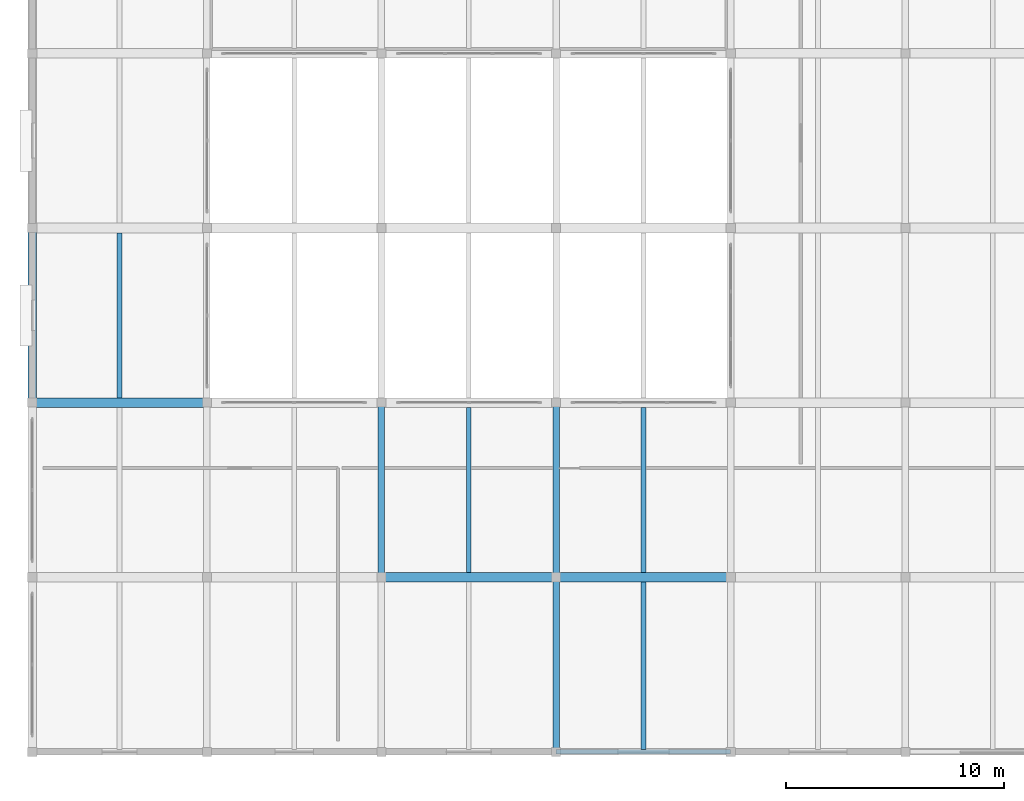
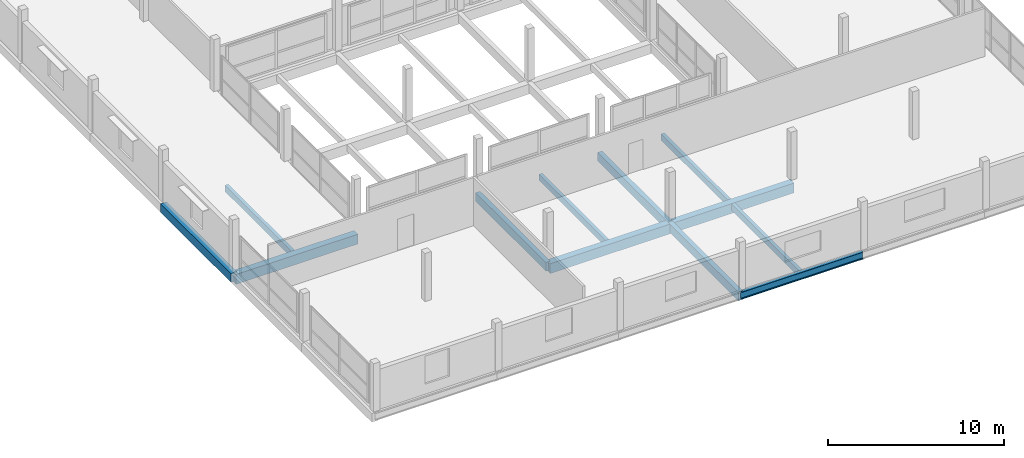
# One storey, part 6 of 51: 12 beams.
"""IFC4 building model written with IfcOpenShell, lengths in metres."""

from ifc_helpers import new_model, si_unit, direction, frame, origin, origin_2d, place, context, subcontext, project, spatial, rectangle, i_section, extrude, material, material_profile, profile_set, type_object, element, save


model = new_model("IFC4")

# Units and contexts
model_context = context("Model", 3, precision=1e-05, world=origin(), true_north=direction((0.0, 1.0)))
body_context = subcontext(model_context, "Body", "Model", "MODEL_VIEW")
ifc_project = project(units=[si_unit("LENGTHUNIT", "METRE"), si_unit("AREAUNIT", "SQUARE_METRE"), si_unit("VOLUMEUNIT", "CUBIC_METRE"), si_unit("PLANEANGLEUNIT", "RADIAN"), si_unit("MASSUNIT", "GRAM", prefix="KILO")], contexts=[model_context])

# Site, building, storey
site_placement = place(None, origin())
site = spatial("IfcSite", under=ifc_project, at=site_placement, CompositionType="ELEMENT")
building_placement = place(site_placement, origin())
building = spatial("IfcBuilding", under=site, at=building_placement, Name="Vharandega Faculty of Natural Sciences", CompositionType="ELEMENT")
storey_placement = place(building_placement, frame((0.0, 0.0, 14.39990234375)))
storey = spatial("IfcBuildingStorey", under=building, at=storey_placement, Name="L03", CompositionType="ELEMENT", Elevation=14.39990234375)

# Beams
ifc_material_1 = material(Name="Glulam GL28h", Category="wood")
ifc_material_profile_1 = material_profile(ifc_material_1, rectangle(XDim=0.300048828125, YDim=0.60009765625, at=origin_2d()), Name="GL28h 300x600")
ifc_profile_set_1 = profile_set([ifc_material_profile_1], Name="Glulam GL28h")
beam_type_1 = type_object("IfcBeamType", Name="Glulam Floor Beam 300x600", PredefinedType="BEAM", material=ifc_profile_set_1)
for number, where, z_axis, x_axis, name in (
    (1, (16.0, 8.0, -0.539794921875), (0.0, 1.0, 0.0), (-1.0, 0.0, 0.0), "Beam L03 3/B-C"),
    (2, (24.0, 0.0, -0.539794921875), (0.0, 1.0, 0.0), (-1.0, 0.0, 0.0), "Beam L03 4/A-B"),
    (3, (24.0, 8.0, -0.539794921875), (0.0, 1.0, 0.0), (-1.0, 0.0, 0.0), "Beam L03 4/B-C"),
):
    element("IfcBeam", number, at=place(storey_placement, frame(where, z_axis=z_axis, x_axis=x_axis)), inside=storey, type_object=beam_type_1, Name=name, PredefinedType="BEAM", context=body_context, shape_type="SweptSolid", body=[
        extrude(rectangle(XDim=0.300048828125, YDim=0.60009765625, at=origin_2d()), origin(), (0.0, 0.0, 1.0), 8.0),
    ])
ifc_material_2 = material(Name="Glulam GL32h", Category="wood")
ifc_material_profile_2 = material_profile(ifc_material_2, rectangle(XDim=0.43994140625, YDim=0.679931640625, at=origin_2d()), Name="GL32h 440x680")
ifc_profile_set_2 = profile_set([ifc_material_profile_2], Name="Glulam GL32h")
beam_type_2 = type_object("IfcBeamType", Name="Glulam Girder 440x680", PredefinedType="BEAM", material=ifc_profile_set_2)
for number, where, z_axis, x_axis, name in (
    (4, (16.0, 8.0, -0.579833984375), (1.0, 0.0, 0.0), (0.0, 1.0, 0.0), "Beam L03 B/3-4"),
    (5, (24.0, 8.0, -0.579833984375), (1.0, 0.0, 0.0), (0.0, 1.0, 0.0), "Beam L03 B/4-5"),
    (6, (0.0, 16.0, -0.579833984375), (1.0, 0.0, 0.0), (0.0, 1.0, 0.0), "Beam L03 C/1-2"),
):
    element("IfcBeam", number, at=place(storey_placement, frame(where, z_axis=z_axis, x_axis=x_axis)), inside=storey, type_object=beam_type_2, Name=name, PredefinedType="BEAM", context=body_context, shape_type="SweptSolid", body=[
        extrude(rectangle(XDim=0.43994140625, YDim=0.679931640625, at=origin_2d()), origin(), (0.0, 0.0, 1.0), 8.0),
    ])
ifc_material_3 = material(Name="Glulam GL28h", Category="wood")
ifc_material_profile_3 = material_profile(ifc_material_3, rectangle(XDim=0.219970703125, YDim=0.43994140625, at=origin_2d()), Name="GL28h 220x440")
ifc_profile_set_3 = profile_set([ifc_material_profile_3], Name="Glulam GL28h")
beam_type_3 = type_object("IfcBeamType", Name="Glulam Secondary Joist 220x440", PredefinedType="JOIST", material=ifc_profile_set_3)
for number, where, z_axis, x_axis, name in (
    (7, (4.0, 16.219970703125, -0.4599609375), (0.0, 1.0, 0.0), (-1.0, 0.0, 0.0), "Secondary Joist L03 1-2/C-D"),
    (8, (20.0, 8.219970703125, -0.4599609375), (0.0, 1.0, 0.0), (-1.0, 0.0, 0.0), "Secondary Joist L03 3-4/B-C"),
):
    element("IfcBeam", number, at=place(storey_placement, frame(where, z_axis=z_axis, x_axis=x_axis)), inside=storey, type_object=beam_type_3, Name=name, PredefinedType="JOIST", context=body_context, shape_type="SweptSolid", body=[
        extrude(rectangle(XDim=0.219970703125, YDim=0.43994140625, at=origin_2d()), origin(), (0.0, 0.0, 1.0), 7.56005859375),
    ])
beam_1_placement = place(storey_placement, frame((28.0, 0.10009765625, -0.4599609375), z_axis=(0.0, 1.0, 0.0), x_axis=(-1.0, 0.0, 0.0)))
element("IfcBeam", 9, at=beam_1_placement, inside=storey, type_object=beam_type_3, Name="Secondary Joist L03 4-5/A-B", PredefinedType="JOIST", context=body_context, shape_type="SweptSolid", body=[
    extrude(rectangle(XDim=0.219970703125, YDim=0.43994140625, at=origin_2d()), origin(), (0.0, 0.0, 1.0), 7.679931640625),
])
beam_2_placement = place(storey_placement, frame((28.0, 8.219970703125, -0.4599609375), z_axis=(0.0, 1.0, 0.0), x_axis=(-1.0, 0.0, 0.0)))
element("IfcBeam", 10, at=beam_2_placement, inside=storey, type_object=beam_type_3, Name="Secondary Joist L03 4-5/B-C", PredefinedType="JOIST", context=body_context, shape_type="SweptSolid", body=[
    extrude(rectangle(XDim=0.219970703125, YDim=0.43994140625, at=origin_2d()), origin(), (0.0, 0.0, 1.0), 7.56005859375),
])
ifc_material_4 = material(Name="Glulam GL32h", Category="wood")
ifc_material_profile_4 = material_profile(ifc_material_4, rectangle(XDim=0.39990234375, YDim=0.60009765625, at=origin_2d()), Name="GL32h 400x600")
ifc_profile_set_4 = profile_set([ifc_material_profile_4], Name="Glulam GL32h")
beam_type_4 = type_object("IfcBeamType", Name="Glulam Spine Girder 400x600", PredefinedType="BEAM", material=ifc_profile_set_4)
beam_3_placement = place(storey_placement, frame((0.0, 16.0, -0.539794921875), z_axis=(0.0, 1.0, 0.0), x_axis=(-1.0, 0.0, 0.0)))
element("IfcBeam", 11, at=beam_3_placement, inside=storey, type_object=beam_type_4, Name="Beam L03 1/C-D", PredefinedType="BEAM", context=body_context, shape_type="SweptSolid", body=[
    extrude(rectangle(XDim=0.39990234375, YDim=0.60009765625, at=origin_2d()), origin(), (0.0, 0.0, 1.0), 8.0),
])
ifc_material_5 = material(Name="Steel S355", Category="steel")
ifc_material_profile_5 = material_profile(ifc_material_5, i_section(OverallWidth=0.199951171875, OverallDepth=0.5, WebThickness=0.01025390625, FlangeThickness=0.01611328125, FilletRadius=0.02099609375, at=origin_2d()), Name="IPE 500")
ifc_profile_set_5 = profile_set([ifc_material_profile_5], Name="Steel S355")
beam_type_5 = type_object("IfcBeamType", Name="Steel Spandrel Beam IPE 500", PredefinedType="SPANDREL", material=ifc_profile_set_5)
beam_4_placement = place(storey_placement, frame((24.0, 0.0, -0.489990234375), z_axis=(1.0, 0.0, 0.0), x_axis=(0.0, 1.0, 0.0)))
element("IfcBeam", 12, at=beam_4_placement, inside=storey, type_object=beam_type_5, Name="Beam L03 A/4-5", PredefinedType="SPANDREL", context=body_context, shape_type="SweptSolid", body=[
    extrude(i_section(OverallWidth=0.199951171875, OverallDepth=0.5, WebThickness=0.01025390625, FlangeThickness=0.01611328125, FilletRadius=0.02099609375, at=origin_2d()), origin(), (0.0, 0.0, 1.0), 8.0),
])

save(model, "model.ifc")
